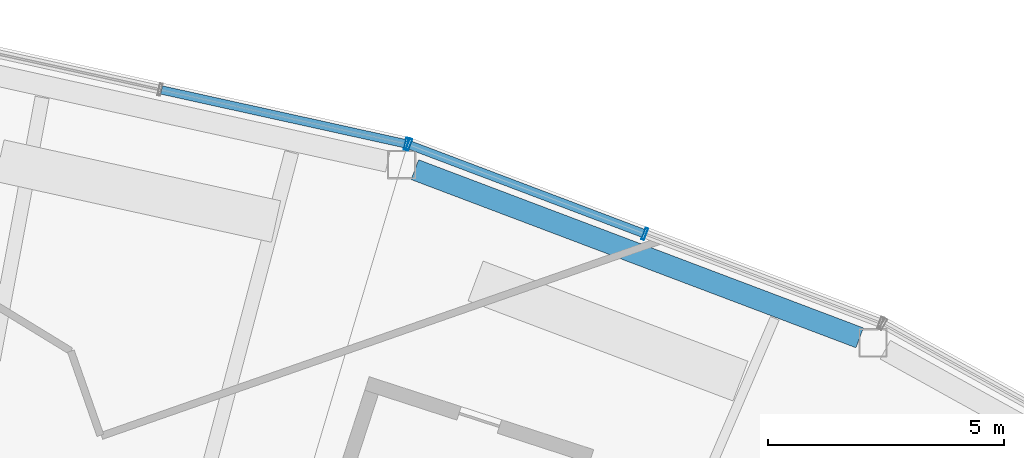
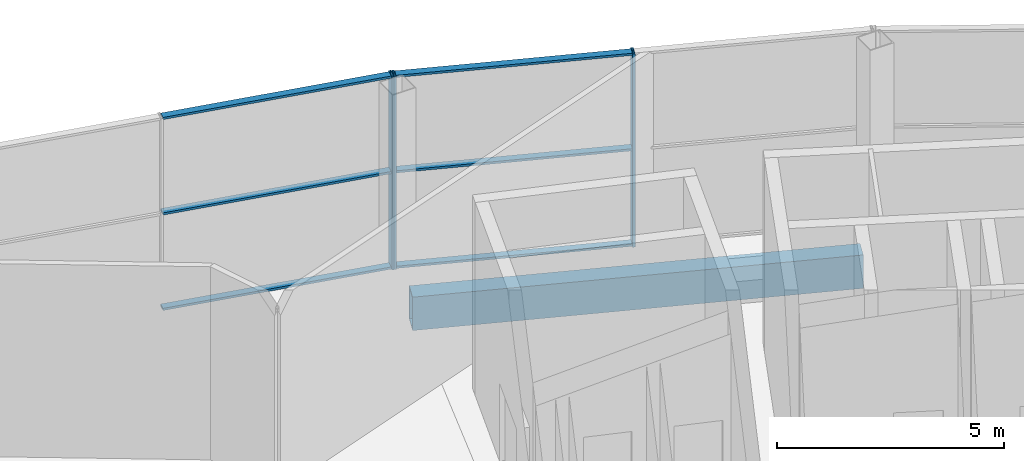
# One storey, part 32 of 44: 9 members, 1 beam, 2 elements without a shape of their own.
"""IFC4 building model written with IfcOpenShell, lengths in metres."""

from ifc_helpers import new_model, si_unit, direction, frame, origin, origin_2d, place, context, subcontext, project, spatial, hollow_rectangle, extrude, material, layer, layer_set, material_profile, profile_set, type_object, element, aggregate, save


model = new_model("IFC4")

# Units and contexts
model_context = context("Model", 3, precision=1e-05, world=origin(), true_north=direction((0.0, 1.0)))
body_context = subcontext(model_context, "Body", "Model", "MODEL_VIEW")
ifc_project = project(units=[si_unit("LENGTHUNIT", "METRE"), si_unit("AREAUNIT", "SQUARE_METRE"), si_unit("VOLUMEUNIT", "CUBIC_METRE"), si_unit("PLANEANGLEUNIT", "RADIAN"), si_unit("MASSUNIT", "GRAM", prefix="KILO")], contexts=[model_context])

# Site, building, storey
site_placement = place(None, origin())
site = spatial("IfcSite", under=ifc_project, at=site_placement, CompositionType="ELEMENT")
building_placement = place(site_placement, origin())
building = spatial("IfcBuilding", under=site, at=building_placement, Name="Tuul Gate Civic Tower", CompositionType="ELEMENT")
storey_placement = place(building_placement, frame((0.0, 0.0, 354.60009765625)))
storey = spatial("IfcBuildingStorey", under=building, at=storey_placement, Name="Observation level 2", CompositionType="ELEMENT", Elevation=354.60009765625)

# Curtain wall, members
ifc_material_1 = material(Name="Stainless steel", Category="steel")
ifc_layer = layer(ifc_material_1, 0.199951171875)
ifc_layer_set = layer_set([ifc_layer], Name="Stainless steel")
curtain_wall_type = type_object("IfcCurtainWallType", Name="Curtain wall CW4", PredefinedType="NOTDEFINED", material=ifc_layer_set)
curtain_wall_1_placement = place(storey_placement, origin())
curtain_wall_1 = element("IfcCurtainWall", 1, at=curtain_wall_1_placement, inside=storey, type_object=curtain_wall_type, Name="Curtain wall CW4", PredefinedType="NOTDEFINED")
ifc_material_2 = material(Name="Stainless steel", Category="steel")
ifc_material_profile_1 = material_profile(ifc_material_2, hollow_rectangle(XDim=0.260009765625, YDim=0.06005859375, WallThickness=0.006103515625, at=origin_2d()), Name="CW4 mullion")
ifc_profile_set_1 = profile_set([ifc_material_profile_1], Name="Stainless steel")
member_type_1 = type_object("IfcMemberType", Name="CW4 mullion", PredefinedType="MULLION", material=ifc_profile_set_1)
member_1_placement = place(storey_placement, frame((28.4208984375, 9.291015625, 0.0), z_axis=(0.0, 0.0, 1.0), x_axis=(-0.35373363489, -0.935346200905, 0.0)))
member_1 = element("IfcMember", 2, at=member_1_placement, type_object=member_type_1, Name="Mullion", PredefinedType="MULLION", context=body_context, shape_type="SweptSolid", body=[
    extrude(hollow_rectangle(XDim=0.260009765625, YDim=0.06005859375, WallThickness=0.006103515625, at=origin_2d()), origin(), (0.0, 0.0, 1.0), 5.199951171875),
])
member_2_placement = place(storey_placement, frame((23.425048828125, 11.180419921875, 0.0), z_axis=(0.0, 0.0, 1.0), x_axis=(-0.35373363489, -0.935346200905, 0.0)))
member_2 = element("IfcMember", 3, at=member_2_placement, type_object=member_type_1, Name="Mullion", PredefinedType="MULLION", context=body_context, shape_type="SweptSolid", body=[
    extrude(hollow_rectangle(XDim=0.260009765625, YDim=0.06005859375, WallThickness=0.006103515625, at=origin_2d()), origin(), (0.0, 0.0, 1.0), 5.199951171875),
])

# Curtain wall, member
curtain_wall_2_placement = place(storey_placement, origin())
curtain_wall_2 = element("IfcCurtainWall", 4, at=curtain_wall_2_placement, inside=storey, type_object=curtain_wall_type, Name="Curtain wall CW4", PredefinedType="NOTDEFINED")
member_3_placement = place(storey_placement, frame((23.36767578125, 11.197509765625, 0.0), z_axis=(0.0, 0.0, 1.0), x_axis=(-0.215215147882, -0.976566659334, 0.0)))
member_3 = element("IfcMember", 5, at=member_3_placement, type_object=member_type_1, Name="Mullion", PredefinedType="MULLION", context=body_context, shape_type="SweptSolid", body=[
    extrude(hollow_rectangle(XDim=0.260009765625, YDim=0.06005859375, WallThickness=0.006103515625, at=origin_2d()), origin(), (0.0, 0.0, 1.0), 5.199951171875),
])

# Member
ifc_material_3 = material(Name="Stainless steel", Category="steel")
ifc_material_profile_2 = material_profile(ifc_material_3, hollow_rectangle(XDim=0.179931640625, YDim=0.06005859375, WallThickness=0.006103515625, at=origin_2d()), Name="CW4 transom")
ifc_profile_set_2 = profile_set([ifc_material_profile_2], Name="Stainless steel")
member_type_2 = type_object("IfcMemberType", Name="CW4 transom", PredefinedType="USERDEFINED", material=ifc_profile_set_2)
member_4_placement = place(storey_placement, frame((28.392822265625, 9.301513671875, 0.02978515625), z_axis=(-0.935343314726, 0.35374126646, 0.0), x_axis=(-0.35374126646, -0.935343314726, 0.0)))
member_4 = element("IfcMember", 6, at=member_4_placement, type_object=member_type_2, Name="Transom", ObjectType="TRANSOM", PredefinedType="USERDEFINED", context=body_context, shape_type="SweptSolid", body=[
    extrude(hollow_rectangle(XDim=0.179931640625, YDim=0.06005859375, WallThickness=0.006103515625, at=origin_2d()), origin(), (0.0, 0.0, 1.0), 5.28125),
])

member_5_placement = place(storey_placement, frame((28.392822265625, 9.301513671875, 2.599853515625), z_axis=(-0.935343314726, 0.35374126646, 0.0), x_axis=(-0.35374126646, -0.935343314726, 0.0)))
member_5 = element("IfcMember", 7, at=member_5_placement, type_object=member_type_2, Name="Transom", ObjectType="TRANSOM", PredefinedType="USERDEFINED", context=body_context, shape_type="SweptSolid", body=[
    extrude(hollow_rectangle(XDim=0.179931640625, YDim=0.06005859375, WallThickness=0.006103515625, at=origin_2d()), origin(), (0.0, 0.0, 1.0), 5.28125),
])

member_6_placement = place(storey_placement, frame((28.392822265625, 9.301513671875, 5.169921875), z_axis=(-0.935343314726, 0.35374126646, 0.0), x_axis=(-0.35374126646, -0.935343314726, 0.0)))
member_6 = element("IfcMember", 8, at=member_6_placement, type_object=member_type_2, Name="Transom", ObjectType="TRANSOM", PredefinedType="USERDEFINED", context=body_context, shape_type="SweptSolid", body=[
    extrude(hollow_rectangle(XDim=0.179931640625, YDim=0.06005859375, WallThickness=0.006103515625, at=origin_2d()), origin(), (0.0, 0.0, 1.0), 5.28125),
])

aggregate(curtain_wall_1, [member_1, member_2, member_4, member_5, member_6])

member_7_placement = place(storey_placement, frame((23.33837890625, 11.203857421875, 0.02978515625), z_axis=(-0.976561939661, 0.215236562891, 0.0), x_axis=(-0.215236562891, -0.976561939661, 0.0)))
member_7 = element("IfcMember", 9, at=member_7_placement, type_object=member_type_2, Name="Transom", ObjectType="TRANSOM", PredefinedType="USERDEFINED", context=body_context, shape_type="SweptSolid", body=[
    extrude(hollow_rectangle(XDim=0.179931640625, YDim=0.06005859375, WallThickness=0.006103515625, at=origin_2d()), origin(), (0.0, 0.0, 1.0), 5.28125),
])

member_8_placement = place(storey_placement, frame((23.33837890625, 11.203857421875, 2.599853515625), z_axis=(-0.976561939661, 0.215236562891, 0.0), x_axis=(-0.215236562891, -0.976561939661, 0.0)))
member_8 = element("IfcMember", 10, at=member_8_placement, type_object=member_type_2, Name="Transom", ObjectType="TRANSOM", PredefinedType="USERDEFINED", context=body_context, shape_type="SweptSolid", body=[
    extrude(hollow_rectangle(XDim=0.179931640625, YDim=0.06005859375, WallThickness=0.006103515625, at=origin_2d()), origin(), (0.0, 0.0, 1.0), 5.28125),
])

member_9_placement = place(storey_placement, frame((23.33837890625, 11.203857421875, 5.169921875), z_axis=(-0.976561939661, 0.215236562891, 0.0), x_axis=(-0.215236562891, -0.976561939661, 0.0)))
member_9 = element("IfcMember", 11, at=member_9_placement, type_object=member_type_2, Name="Transom", ObjectType="TRANSOM", PredefinedType="USERDEFINED", context=body_context, shape_type="SweptSolid", body=[
    extrude(hollow_rectangle(XDim=0.179931640625, YDim=0.06005859375, WallThickness=0.006103515625, at=origin_2d()), origin(), (0.0, 0.0, 1.0), 5.28125),
])

aggregate(curtain_wall_2, [member_3, member_7, member_8, member_9])

# Beam
ifc_material_4 = material(Name="Steel S355", Category="steel")
ifc_material_profile_3 = material_profile(ifc_material_4, hollow_rectangle(XDim=0.449951171875, YDim=0.89990234375, WallThickness=0.02490234375, at=origin_2d()), Name="BOX900x450x25")
ifc_profile_set_3 = profile_set([ifc_material_profile_3], Name="Steel S355")
beam_type = type_object("IfcBeamType", Name="STR-SPANDREL BEAM-BOX900x450x25", PredefinedType="BEAM", material=ifc_profile_set_3)
beam_placement = place(storey_placement, frame((32.975341796875, 7.088134765625, -0.85009765625), z_axis=(-0.935377903805, 0.353649794391, 0.0), x_axis=(-0.353649794391, -0.935377903805, 0.0)))
element("IfcBeam", 12, at=beam_placement, inside=storey, type_object=beam_type, Name="Spandrel beam", PredefinedType="BEAM", context=body_context, shape_type="SweptSolid", body=[
    extrude(hollow_rectangle(XDim=0.449951171875, YDim=0.89990234375, WallThickness=0.02490234375, at=origin_2d()), origin(), (0.0, 0.0, 1.0), 10.076904296875),
])

save(model, "model.ifc")
